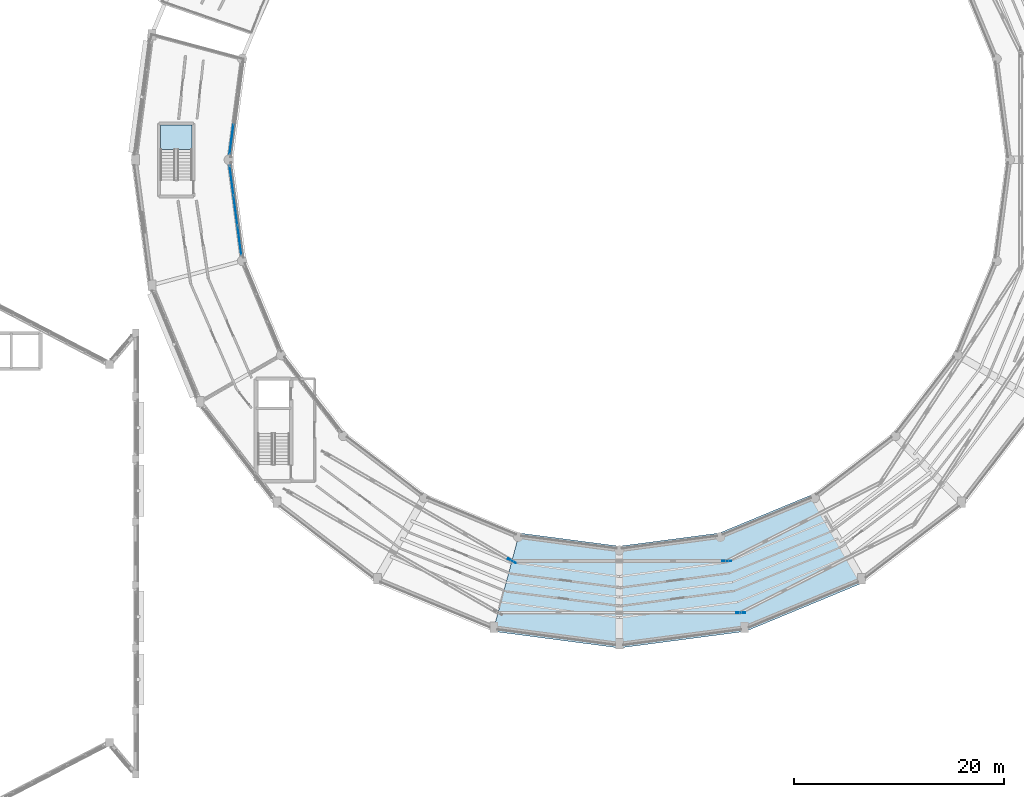
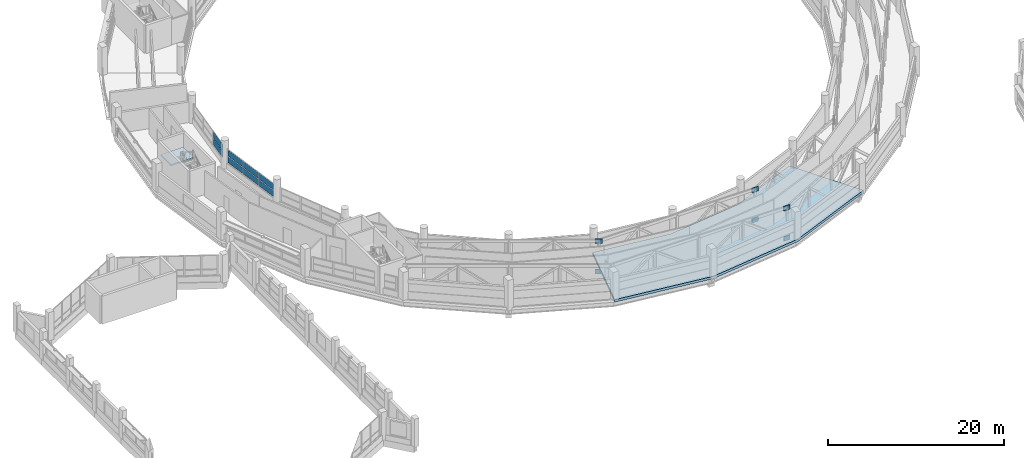
# One storey, part 89 of 121: 14 plates, 2 slabs, 3 elements without a shape of their own.
"""IFC4 building model written with IfcOpenShell, lengths in metres."""

from ifc_helpers import new_model, si_unit, direction, frame, origin, origin_2d, place, context, subcontext, project, spatial, polyline, rectangle, outline, extrude, material, layer, layer_set, type_object, element, aggregate, save


model = new_model("IFC4")

# Units and contexts
model_context = context("Model", 3, precision=1e-05, world=origin(), true_north=direction((0.0, 1.0)))
body_context = subcontext(model_context, "Body", "Model", "MODEL_VIEW")
ifc_project = project(units=[si_unit("LENGTHUNIT", "METRE"), si_unit("AREAUNIT", "SQUARE_METRE"), si_unit("VOLUMEUNIT", "CUBIC_METRE"), si_unit("PLANEANGLEUNIT", "RADIAN"), si_unit("MASSUNIT", "GRAM", prefix="KILO")], contexts=[model_context])

# Site, building, storey
site_placement = place(None, origin())
site = spatial("IfcSite", under=ifc_project, at=site_placement, CompositionType="ELEMENT")
building_placement = place(site_placement, origin())
building = spatial("IfcBuilding", under=site, at=building_placement, Name="Vespera Passage Community Centre", CompositionType="ELEMENT")
storey_placement = place(building_placement, frame((0.0, 0.0, 8.699951171875)))
storey = spatial("IfcBuildingStorey", under=building, at=storey_placement, Name="L02", CompositionType="ELEMENT", Elevation=8.699951171875)

# Curtain wall, plates
ifc_material_1 = material(Name="Anodized aluminium 6063-T6", Category="aluminium")
ifc_layer_1 = layer(ifc_material_1, 0.159912109375)
ifc_layer_set_1 = layer_set([ifc_layer_1], Name="Anodized aluminium 6063-T6")
curtain_wall_type_1 = type_object("IfcCurtainWallType", Name="CW-34E", PredefinedType="NOTDEFINED", material=ifc_layer_set_1)
curtain_wall_1_placement = place(storey_placement, origin())
curtain_wall_1 = element("IfcCurtainWall", 1, at=curtain_wall_1_placement, inside=storey, type_object=curtain_wall_type_1, Name="V4 L02 Inner Court Curtain Wall 12", PredefinedType="NOTDEFINED")
ifc_material_2 = material(Name="Low-E insulated vision glass", Category="glass")
ifc_layer_2 = layer(ifc_material_2, 0.02001953125)
ifc_layer_set_2 = layer_set([ifc_layer_2], Name="Low-E insulated vision glass")
plate_type_1 = type_object("IfcPlateType", Name="PL-CWP-20E", PredefinedType="CURTAIN_PANEL", material=ifc_layer_set_2)
plate_1_placement = place(storey_placement, frame((41.058837890625, 63.53466796875, 0.920166015625), z_axis=(0.0, 0.0, 1.0), x_axis=(0.1305221941, -0.991445387728, 0.0)))
plate_1 = element("IfcPlate", 2, at=plate_1_placement, type_object=plate_type_1, Name="CW-34E panel 1.1", PredefinedType="CURTAIN_PANEL", context=body_context, shape_type="SweptSolid", body=[
    extrude(rectangle(XDim=2.779541015625, YDim=0.02001953125, at=origin_2d()), origin(), (0.0, 0.0, 1.0), 0.82470703125),
])
plate_2_placement = place(storey_placement, frame((41.058837890625, 63.53466796875, 1.8447265625), z_axis=(0.0, 0.0, 1.0), x_axis=(0.1305221941, -0.991445387728, 0.0)))
plate_2 = element("IfcPlate", 3, at=plate_2_placement, type_object=plate_type_1, Name="CW-34E panel 1.2", PredefinedType="CURTAIN_PANEL", context=body_context, shape_type="SweptSolid", body=[
    extrude(rectangle(XDim=2.779541015625, YDim=0.02001953125, at=origin_2d()), origin(), (0.0, 0.0, 1.0), 0.82470703125),
])
plate_3_placement = place(storey_placement, frame((41.433837890625, 60.68603515625, 0.920166015625), z_axis=(0.0, 0.0, 1.0), x_axis=(0.1305221941, -0.991445387728, 0.0)))
plate_3 = element("IfcPlate", 4, at=plate_3_placement, type_object=plate_type_1, Name="CW-34E panel 2.1", PredefinedType="CURTAIN_PANEL", context=body_context, shape_type="SweptSolid", body=[
    extrude(rectangle(XDim=2.81689453125, YDim=0.02001953125, at=origin_2d()), origin(), (0.0, 0.0, 1.0), 0.82470703125),
])
plate_4_placement = place(storey_placement, frame((41.433837890625, 60.68603515625, 1.8447265625), z_axis=(0.0, 0.0, 1.0), x_axis=(0.1305221941, -0.991445387728, 0.0)))
plate_4 = element("IfcPlate", 5, at=plate_4_placement, type_object=plate_type_1, Name="CW-34E panel 2.2", PredefinedType="CURTAIN_PANEL", context=body_context, shape_type="SweptSolid", body=[
    extrude(rectangle(XDim=2.81689453125, YDim=0.02001953125, at=origin_2d()), origin(), (0.0, 0.0, 1.0), 0.82470703125),
])
plate_5_placement = place(storey_placement, frame((41.808837890625, 57.83740234375, 0.920166015625), z_axis=(0.0, 0.0, 1.0), x_axis=(0.1305221941, -0.991445387728, 0.0)))
plate_5 = element("IfcPlate", 6, at=plate_5_placement, type_object=plate_type_1, Name="CW-34E panel 3.1", PredefinedType="CURTAIN_PANEL", context=body_context, shape_type="SweptSolid", body=[
    extrude(rectangle(XDim=2.779541015625, YDim=0.02001953125, at=origin_2d()), origin(), (0.0, 0.0, 1.0), 0.82470703125),
])
plate_6_placement = place(storey_placement, frame((41.808837890625, 57.83740234375, 1.8447265625), z_axis=(0.0, 0.0, 1.0), x_axis=(0.1305221941, -0.991445387728, 0.0)))
plate_6 = element("IfcPlate", 7, at=plate_6_placement, type_object=plate_type_1, Name="CW-34E panel 3.2", PredefinedType="CURTAIN_PANEL", context=body_context, shape_type="SweptSolid", body=[
    extrude(rectangle(XDim=2.779541015625, YDim=0.02001953125, at=origin_2d()), origin(), (0.0, 0.0, 1.0), 0.82470703125),
])
aggregate(curtain_wall_1, [plate_1, plate_2, plate_3, plate_4, plate_5, plate_6])

ifc_material_3 = material(Name="Anodized aluminium 6063-T6", Category="aluminium")
ifc_layer_3 = layer(ifc_material_3, 0.159912109375)
ifc_layer_set_3 = layer_set([ifc_layer_3], Name="Anodized aluminium 6063-T6")
curtain_wall_type_2 = type_object("IfcCurtainWallType", Name="CW-27E", PredefinedType="NOTDEFINED", material=ifc_layer_set_3)
curtain_wall_2_placement = place(storey_placement, origin())
curtain_wall_2 = element("IfcCurtainWall", 8, at=curtain_wall_2_placement, inside=storey, type_object=curtain_wall_type_2, Name="V4 L02 Inner Court Curtain Wall 11", PredefinedType="NOTDEFINED")
ifc_material_4 = material(Name="Acoustic triple-glazed vision glass", Category="glass")
ifc_layer_4 = layer(ifc_material_4, 0.035888671875)
ifc_layer_set_4 = layer_set([ifc_layer_4], Name="Acoustic triple-glazed vision glass")
plate_type_2 = type_object("IfcPlateType", Name="PL-CWP-36E", PredefinedType="CURTAIN_PANEL", material=ifc_layer_set_4)
plate_7_placement = place(storey_placement, frame((41.058349609375, 67.462890625, 0.880126953125), z_axis=(0.0, 0.0, 1.0), x_axis=(-0.1305221941, -0.991445387728, 0.0)))
plate_7 = element("IfcPlate", 9, at=plate_7_placement, type_object=plate_type_2, Name="CW-27E panel 3.1", PredefinedType="CURTAIN_PANEL", context=body_context, shape_type="SweptSolid", body=[
    extrude(rectangle(XDim=2.79443359375, YDim=0.035888671875, at=origin_2d()), origin(), (0.0, 0.0, 1.0), 0.884765625),
])
plate_8_placement = place(storey_placement, frame((41.058349609375, 67.462890625, 1.82470703125), z_axis=(0.0, 0.0, 1.0), x_axis=(-0.1305221941, -0.991445387728, 0.0)))
plate_8 = element("IfcPlate", 10, at=plate_8_placement, type_object=plate_type_2, Name="CW-27E panel 3.2", PredefinedType="CURTAIN_PANEL", context=body_context, shape_type="SweptSolid", body=[
    extrude(rectangle(XDim=2.79443359375, YDim=0.035888671875, at=origin_2d()), origin(), (0.0, 0.0, 1.0), 0.884765625),
])
aggregate(curtain_wall_2, [plate_7, plate_8])

# Plates
ifc_material_5 = material(Name="Steel ASTM A572 Grade 50", Category="steel")
ifc_layer_5 = layer(ifc_material_5, 0.074951171875)
ifc_layer_set_5 = layer_set([ifc_layer_5], Name="Steel ASTM A572 Grade 50")
plate_type_3 = type_object("IfcPlateType", Name="PL-NODE-75", PredefinedType="SHEET", material=ifc_layer_set_5)
for number, where, z_axis, x_axis, name in (
    (11, (67.763671875, 27.297607421875, -1.10009765625), (0.0, 0.0, 1.0), (0.866025403784, -0.5, 0.0), "Truss TR2I Gusset Plate B5"),
    (12, (67.763671875, 27.297607421875, 3.110107421875), (0.0, 0.0, 1.0), (0.866025403784, -0.5, 0.0), "Truss TR2I Gusset Plate T5"),
    (13, (89.556396484375, 22.371337890625, -1.10009765625), (0.0, 0.0, 1.0), (1.0, 0.0, 0.0), "Truss TR3O Gusset Plate B5"),
    (14, (89.556396484375, 22.371337890625, 3.110107421875), (0.0, 0.0, 1.0), (1.0, 0.0, 0.0), "Truss TR3O Gusset Plate T5"),
    (15, (88.236328125, 27.297607421875, -1.10009765625), (0.0, 0.0, 1.0), (1.0, 0.0, 0.0), "Truss TR3I Gusset Plate B5"),
    (16, (88.236328125, 27.297607421875, 3.110107421875), (0.0, 0.0, 1.0), (1.0, 0.0, 0.0), "Truss TR3I Gusset Plate T5"),
):
    element("IfcPlate", number, at=place(storey_placement, frame(where, z_axis=z_axis, x_axis=x_axis)), inside=storey, type_object=plate_type_3, Name=name, PredefinedType="SHEET", context=body_context, shape_type="SweptSolid", body=[
        extrude(rectangle(XDim=0.840087890625, YDim=0.074951171875, at=origin_2d()), origin(), (0.0, 0.0, 1.0), 0.6201171875),
    ])

# Stair, slab
ifc_material_6 = material(Name="Concrete f'c 35 MPa", Category="concrete")
stair_type = type_object("IfcStairType", Name="ST-T06", PredefinedType="HALF_TURN_STAIR", material=ifc_material_6)
stair_placement = place(storey_placement, origin())
stair = element("IfcStair", 17, at=stair_placement, inside=storey, type_object=stair_type, Name="L02 Core C2 Exit Stair ST04", PredefinedType="HALF_TURN_STAIR")
ifc_material_7 = material(Name="Concrete f'c 35 MPa", Category="concrete")
ifc_layer_6 = layer(ifc_material_7, 0.199951171875)
ifc_layer_set_6 = layer_set([ifc_layer_6], Name="Concrete f'c 35 MPa")
slab_type_1 = type_object("IfcSlabType", Name="SL-LAND-200I", PredefinedType="LANDING", material=ifc_layer_set_6)
slab_1_placement = place(storey_placement, frame((0.0, 0.0, 1.75)))
slab_1 = element("IfcSlab", 18, at=slab_1_placement, type_object=slab_type_1, Name="ST04 landing 1", PredefinedType="LANDING", context=body_context, shape_type="SweptSolid", body=[
    extrude(outline(polyline([(37.300048828125, 66.47509765625), (37.300048828125, 68.824951171875), (34.300048828125, 68.824951171875), (34.300048828125, 66.47509765625), (37.300048828125, 66.47509765625)])), origin(), (0.0, 0.0, 1.0), 0.199951171875),
])
aggregate(stair, [slab_1])

# Slab
ifc_material_8 = material(Name="Concrete f'c 45 MPa", Category="concrete")
ifc_layer_7 = layer(ifc_material_8, 0.340087890625)
ifc_layer_set_7 = layer_set([ifc_layer_7], Name="Concrete f'c 45 MPa")
slab_type_2 = type_object("IfcSlabType", Name="SL-XFER-340", PredefinedType="FLOOR", material=ifc_layer_set_7)
slab_2_placement = place(storey_placement, frame((0.0, 0.0, -0.33984375)))
element("IfcSlab", 19, at=slab_2_placement, inside=storey, type_object=slab_type_2, Name="V4 L02 Annular Sector 7 Slab", PredefinedType="FLOOR", context=body_context, shape_type="SweptSolid", body=[
    extrude(outline(polyline([(65.96484375, 20.58447265625), (78.0, 19.0), (90.03515625, 20.58447265625), (101.25, 25.229736328125), (96.39990234375, 33.63037109375), (87.5244140625, 29.953857421875), (78.0, 28.699951171875), (68.4755859375, 29.953857421875), (65.96484375, 20.58447265625)])), origin(), (0.0, 0.0, 1.0), 0.33984375),
])

save(model, "model.ifc")
